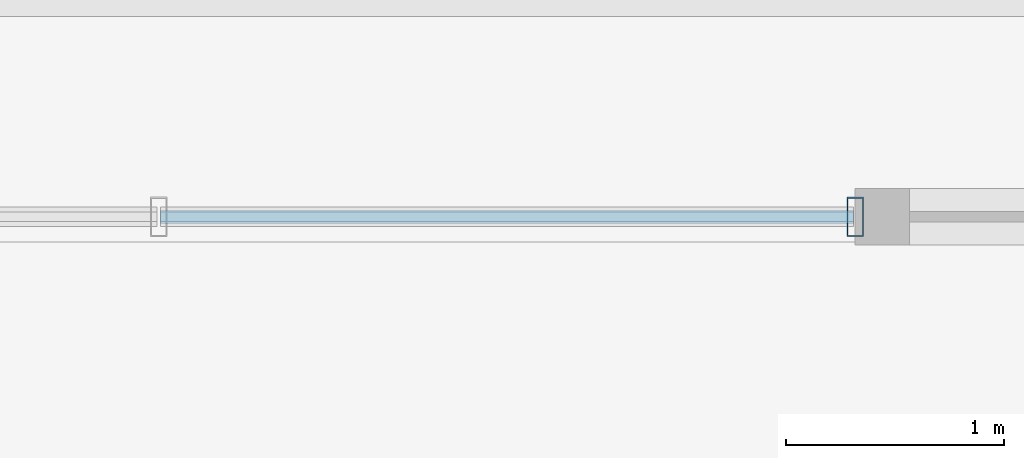
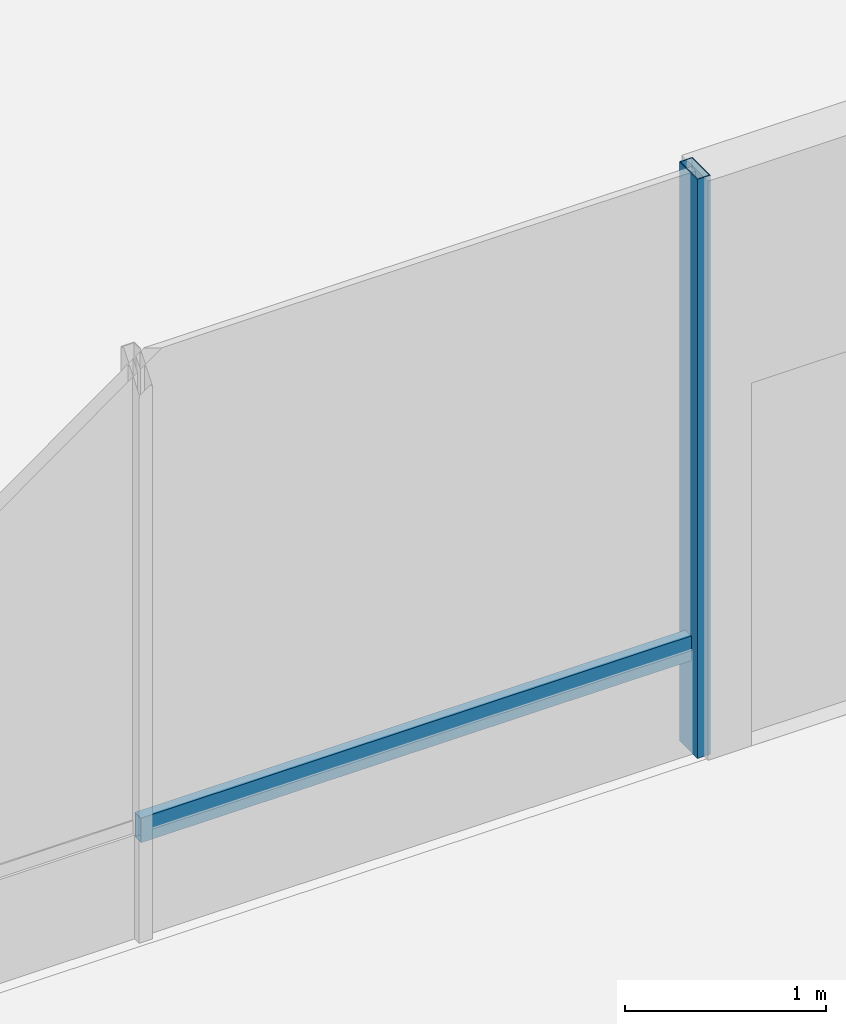
# One storey, part 4 of 20: 2 members, 1 element without a shape of its own.
"""IFC4 building model written with IfcOpenShell, lengths in metres."""

from ifc_helpers import new_model, si_unit, direction, frame, origin, origin_2d, place, context, subcontext, project, spatial, hollow_rectangle, extrude, material, layer, layer_set, material_profile, profile_set, type_object, element, aggregate, save


model = new_model("IFC4")

# Units and contexts
model_context = context("Model", 3, precision=1e-05, world=origin(), true_north=direction((0.0, 1.0)))
body_context = subcontext(model_context, "Body", "Model", "MODEL_VIEW")
ifc_project = project(units=[si_unit("LENGTHUNIT", "METRE"), si_unit("AREAUNIT", "SQUARE_METRE"), si_unit("VOLUMEUNIT", "CUBIC_METRE"), si_unit("PLANEANGLEUNIT", "RADIAN"), si_unit("MASSUNIT", "GRAM", prefix="KILO")], contexts=[model_context])

# Site, building, storey
site_placement = place(None, origin())
site = spatial("IfcSite", under=ifc_project, at=site_placement, CompositionType="ELEMENT")
building_placement = place(site_placement, origin())
building = spatial("IfcBuilding", under=site, at=building_placement, Name="Belovzor Exchange Tower", CompositionType="ELEMENT")
storey_placement = place(building_placement, frame((0.0, 0.0, 299.25)))
storey = spatial("IfcBuildingStorey", under=building, at=storey_placement, Name="L74", CompositionType="ELEMENT", Elevation=299.25)

# Curtain wall, members
ifc_material_1 = material(Name="Anodised Aluminium Framing", Category="aluminium")
ifc_layer = layer(ifc_material_1, 0.179931640625)
ifc_layer_set = layer_set([ifc_layer], Name="Anodised Aluminium Framing")
curtain_wall_type = type_object("IfcCurtainWallType", Name="Recessed Loggia Low-Iron Triple-Glazed Curtain Wall", PredefinedType="NOTDEFINED", material=ifc_layer_set)
curtain_wall_placement = place(storey_placement, origin())
curtain_wall = element("IfcCurtainWall", 1, at=curtain_wall_placement, inside=storey, type_object=curtain_wall_type, Name="CW3 Recessed Loggia Low-Iron Triple-Glazed Curtain Wall L74", PredefinedType="NOTDEFINED")
ifc_material_2 = material(Name="Steel S355", Category="steel")
ifc_material_profile_1 = material_profile(ifc_material_2, hollow_rectangle(XDim=0.074951171875, YDim=0.179931640625, WallThickness=0.0048828125, at=origin_2d()))
ifc_profile_set_1 = profile_set([ifc_material_profile_1], Name="Steel S355")
member_type_1 = type_object("IfcMemberType", Name="Thermally Broken Curtain Wall Mullion 180x75", PredefinedType="MULLION", material=ifc_profile_set_1)
member_1_placement = place(storey_placement, frame((33.60009765625, 6.1298828125, 0.0), z_axis=(0.0, 0.0, 1.0), x_axis=(-1.0, 0.0, 0.0)))
member_1 = element("IfcMember", 2, at=member_1_placement, type_object=member_type_1, Name="CW-M180 Curtain Wall Mullion 1", PredefinedType="MULLION", context=body_context, shape_type="SweptSolid", body=[
    extrude(hollow_rectangle(XDim=0.074951171875, YDim=0.179931640625, WallThickness=0.0048828125, at=origin_2d()), origin(), (0.0, 0.0, 1.0), 3.510009765625),
])
ifc_material_3 = material(Name="Steel S355", Category="steel")
ifc_material_profile_2 = material_profile(ifc_material_3, hollow_rectangle(XDim=0.06005859375, YDim=0.14990234375, WallThickness=0.00390625, at=origin_2d()))
ifc_profile_set_2 = profile_set([ifc_material_profile_2], Name="Steel S355")
member_type_2 = type_object("IfcMemberType", Name="Thermally Broken Curtain Wall Transom 150x60", PredefinedType="USERDEFINED", material=ifc_profile_set_2)
member_2_placement = place(storey_placement, frame((33.592041015625, 6.1298828125, 0.632080078125), z_axis=(-1.0, 0.0, 0.0), x_axis=(0.0, -1.0, 0.0)))
member_2 = element("IfcMember", 3, at=member_2_placement, type_object=member_type_2, Name="CW-T150 Curtain Wall Transom 1", ObjectType="TRANSOM", PredefinedType="USERDEFINED", context=body_context, shape_type="SweptSolid", body=[
    extrude(hollow_rectangle(XDim=0.06005859375, YDim=0.14990234375, WallThickness=0.00390625, at=origin_2d()), origin(), (0.0, 0.0, 1.0), 3.18408203125),
])
aggregate(curtain_wall, [member_1, member_2])

save(model, "model.ifc")
